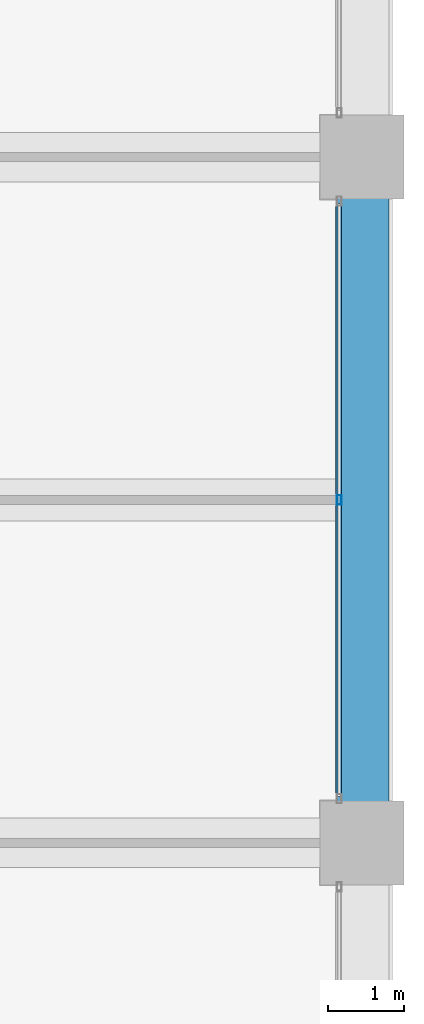
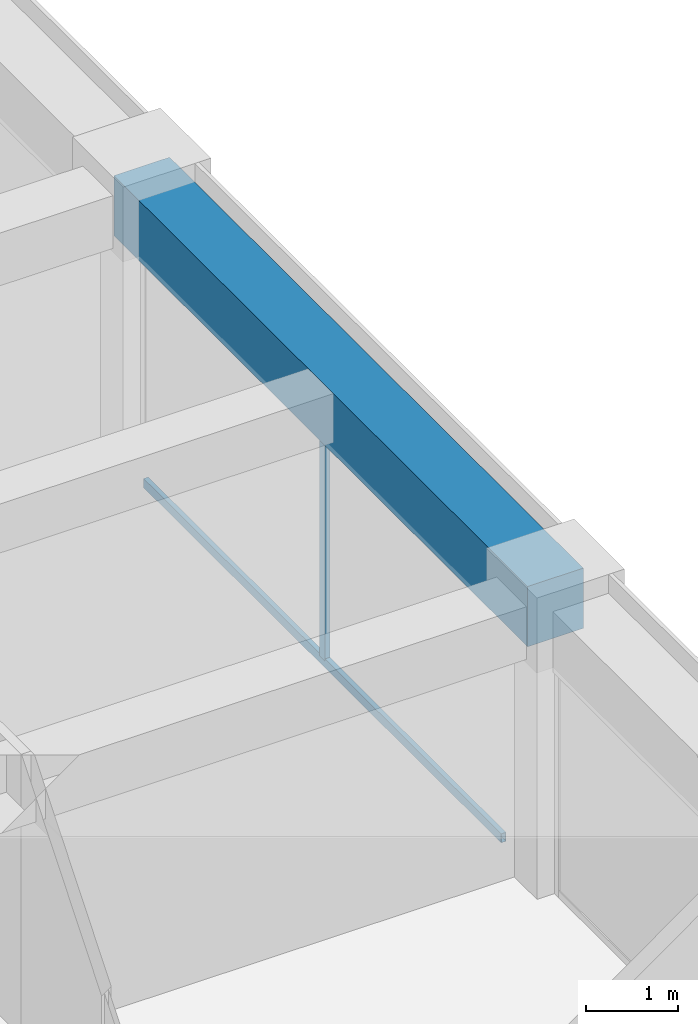
# One storey, part 25 of 44: 2 members, 1 beam, 1 element without a shape of its own.
"""IFC4 building model written with IfcOpenShell, lengths in metres."""

from ifc_helpers import new_model, si_unit, direction, frame, origin, origin_2d, place, context, subcontext, project, spatial, rectangle, hollow_rectangle, extrude, material, material_profile, profile_set, type_object, element, aggregate, save


model = new_model("IFC4")

# Units and contexts
model_context = context("Model", 3, precision=1e-05, world=origin(), true_north=direction((0.0, 1.0)))
body_context = subcontext(model_context, "Body", "Model", "MODEL_VIEW")
ifc_project = project(units=[si_unit("LENGTHUNIT", "METRE"), si_unit("AREAUNIT", "SQUARE_METRE"), si_unit("VOLUMEUNIT", "CUBIC_METRE"), si_unit("PLANEANGLEUNIT", "RADIAN"), si_unit("MASSUNIT", "GRAM", prefix="KILO")], contexts=[model_context])

# Site, building, storey
site_placement = place(None, origin())
site = spatial("IfcSite", under=ifc_project, at=site_placement, CompositionType="ELEMENT")
building_placement = place(site_placement, origin())
building = spatial("IfcBuilding", under=site, at=building_placement, Name="Zorevar Civic Tower", CompositionType="ELEMENT")
storey_placement = place(building_placement, frame((0.0, 0.0, 259.39990234375)))
storey = spatial("IfcBuildingStorey", under=building, at=storey_placement, Name="L63", CompositionType="ELEMENT", Elevation=259.39990234375)

# Curtain wall, members
ifc_material_1 = material(Name="Dark grey solar-control glass in black aluminium frame", Category="aluminium")
curtain_wall_type = type_object("IfcCurtainWallType", Name="Curtain wall CW5 top zone", PredefinedType="NOTDEFINED", material=ifc_material_1)
curtain_wall_placement = place(storey_placement, origin())
curtain_wall = element("IfcCurtainWall", 1, at=curtain_wall_placement, inside=storey, type_object=curtain_wall_type, Name="CW5 L63", PredefinedType="NOTDEFINED")
ifc_material_2 = material(Name="Aluminium, black anodised", Category="aluminium")
ifc_material_profile_1 = material_profile(ifc_material_2, hollow_rectangle(XDim=0.06005859375, YDim=0.1201171875, WallThickness=0.0029296875, at=origin_2d()), Name="AL 120x60x3")
ifc_profile_set_1 = profile_set([ifc_material_profile_1], Name="Aluminium, black anodised")
member_type_1 = type_object("IfcMemberType", Name="CW5 mullion AL 120x60x3", PredefinedType="MULLION", material=ifc_profile_set_1)
member_1_placement = place(storey_placement, frame((53.699951171875, 22.5, 0.06005859375), z_axis=(0.0, 0.0, 1.0), x_axis=(-1.0, 0.0, 0.0)))
member_1 = element("IfcMember", 2, at=member_1_placement, type_object=member_type_1, Name="CW5 mullion 2", PredefinedType="MULLION", context=body_context, shape_type="SweptSolid", body=[
    extrude(hollow_rectangle(XDim=0.06005859375, YDim=0.1201171875, WallThickness=0.0029296875, at=origin_2d()), origin(), (0.0, 0.0, 1.0), 2.89013671875),
])
ifc_material_3 = material(Name="Aluminium, black anodised", Category="aluminium")
ifc_material_profile_2 = material_profile(ifc_material_3, hollow_rectangle(XDim=0.06005859375, YDim=0.1201171875, WallThickness=0.0029296875, at=origin_2d()), Name="AL 120x60x3")
ifc_profile_set_2 = profile_set([ifc_material_profile_2], Name="Aluminium, black anodised")
member_type_2 = type_object("IfcMemberType", Name="CW5 transom AL 120x60x3", PredefinedType="USERDEFINED", material=ifc_profile_set_2)
member_2_placement = place(storey_placement, frame((53.699951171875, 18.610107421875, 0.030029296875), z_axis=(0.0, 1.0, 0.0), x_axis=(-1.0, 0.0, 0.0)))
member_2 = element("IfcMember", 3, at=member_2_placement, type_object=member_type_2, Name="CW5 sill transom", ObjectType="TRANSOM", PredefinedType="USERDEFINED", context=body_context, shape_type="SweptSolid", body=[
    extrude(hollow_rectangle(XDim=0.06005859375, YDim=0.1201171875, WallThickness=0.0029296875, at=origin_2d()), origin(), (0.0, 0.0, 1.0), 7.77978515625),
])
aggregate(curtain_wall, [member_1, member_2])

# Beam
ifc_material_4 = material(Name="Concrete C50/60", Category="concrete")
ifc_material_profile_3 = material_profile(ifc_material_4, rectangle(XDim=0.699951171875, YDim=0.800048828125, at=origin_2d()), Name="RC 700x800")
ifc_profile_set_3 = profile_set([ifc_material_profile_3], Name="Concrete C50/60")
beam_type = type_object("IfcBeamType", Name="Edge beam RC 700x800", PredefinedType="SPANDREL", material=ifc_profile_set_3)
beam_placement = place(storey_placement, frame((54.0, 18.0, 3.35009765625), z_axis=(0.0, 1.0, 0.0), x_axis=(-1.0, 0.0, 0.0)))
element("IfcBeam", 4, at=beam_placement, inside=storey, type_object=beam_type, Name="Edge beam L64", PredefinedType="SPANDREL", context=body_context, shape_type="SweptSolid", body=[
    extrude(rectangle(XDim=0.699951171875, YDim=0.800048828125, at=origin_2d()), origin(), (0.0, 0.0, 1.0), 9.0),
])

save(model, "model.ifc")
